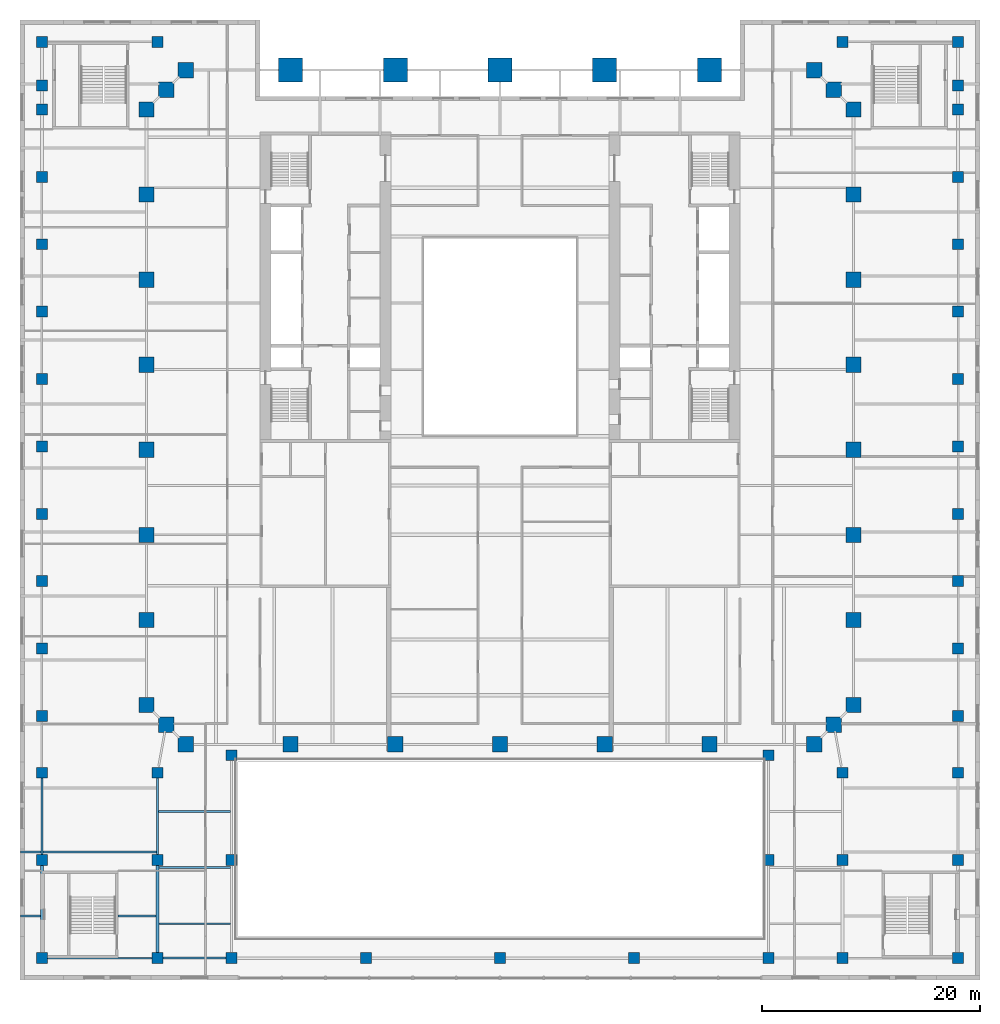
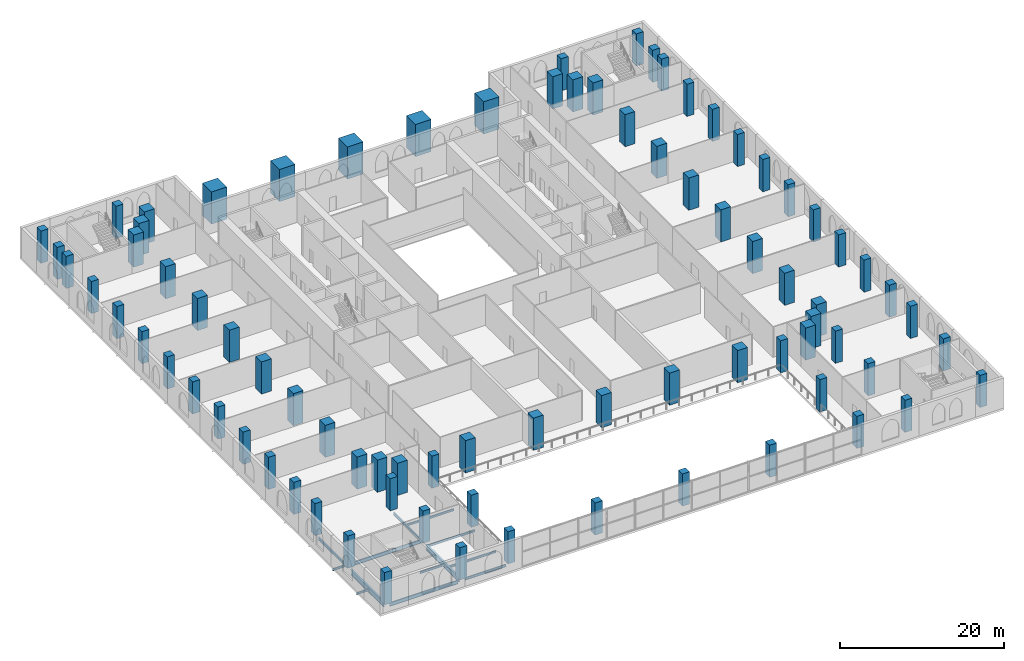
# One storey, part 1 of 19: 81 columns, 13 beams.
"""IFC4 building model written with IfcOpenShell, lengths in metres."""

from ifc_helpers import new_model, si_unit, direction, frame, origin, origin_2d, place, context, subcontext, project, spatial, rectangle, i_section, extrude, material, material_profile, profile_set, type_object, element, save


model = new_model("IFC4")

# Units and contexts
model_context = context("Model", 3, precision=1e-05, world=origin(), true_north=direction((0.0, 1.0)))
body_context = subcontext(model_context, "Body", "Model", "MODEL_VIEW")
ifc_project = project(units=[si_unit("LENGTHUNIT", "METRE"), si_unit("AREAUNIT", "SQUARE_METRE"), si_unit("VOLUMEUNIT", "CUBIC_METRE"), si_unit("PLANEANGLEUNIT", "RADIAN"), si_unit("MASSUNIT", "GRAM", prefix="KILO")], contexts=[model_context])

# Site, building, storey
site_placement = place(None, origin())
site = spatial("IfcSite", under=ifc_project, at=site_placement, CompositionType="ELEMENT")
building_placement = place(site_placement, origin())
building = spatial("IfcBuilding", under=site, at=building_placement, Name="Ogive Exchange Tower", CompositionType="ELEMENT")
storey_placement = place(building_placement, frame((0.0, 0.0, 19.199951171875)))
storey = spatial("IfcBuildingStorey", under=building, at=storey_placement, Name="L03", CompositionType="ELEMENT", Elevation=19.199951171875)

# Columns
ifc_material_1 = material(Name="Concrete C70/85", Category="concrete")
ifc_material_profile_1 = material_profile(ifc_material_1, rectangle(XDim=1.0, YDim=1.0, at=origin_2d()), Name="RC 1000x1000")
ifc_profile_set_1 = profile_set([ifc_material_profile_1], Name="Concrete C70/85")
column_type_1 = type_object("IfcColumnType", Name="RC column 1000x1000", PredefinedType="COLUMN", material=ifc_profile_set_1)
for number, where, z_axis, x_axis, name in (
    (1, (-42.0, -50.0, 0.0), (0.0, 0.0, 1.0), (1.0, 0.0, 0.0), "Podium column"),
    (2, (-31.39990234375, -50.0, 0.0), (0.0, 0.0, 1.0), (1.0, 0.0, 0.0), "Podium column"),
    (3, (-24.60009765625, -50.0, 0.0), (0.0, 0.0, 1.0), (1.0, 0.0, 0.0), "Podium column"),
    (4, (-12.300048828125, -50.0, 0.0), (0.0, 0.0, 1.0), (1.0, 0.0, 0.0), "Podium column"),
    (5, (0.0, -50.0, 0.0), (0.0, 0.0, 1.0), (1.0, 0.0, 0.0), "Podium column"),
    (6, (12.300048828125, -50.0, 0.0), (0.0, 0.0, 1.0), (1.0, 0.0, 0.0), "Podium column"),
    (7, (24.60009765625, -50.0, 0.0), (0.0, 0.0, 1.0), (1.0, 0.0, 0.0), "Podium column"),
    (8, (31.39990234375, -50.0, 0.0), (0.0, 0.0, 1.0), (1.0, 0.0, 0.0), "Podium column"),
    (9, (42.0, -50.0, 0.0), (0.0, 0.0, 1.0), (1.0, 0.0, 0.0), "Podium column"),
    (10, (-42.0, -41.0, 0.0), (0.0, 0.0, 1.0), (1.0, 0.0, 0.0), "Podium column"),
    (11, (-31.39990234375, -41.0, 0.0), (0.0, 0.0, 1.0), (1.0, 0.0, 0.0), "Podium column"),
    (12, (-24.60009765625, -41.0, 0.0), (0.0, 0.0, 1.0), (1.0, 0.0, 0.0), "Podium column"),
    (13, (24.60009765625, -41.0, 0.0), (0.0, 0.0, 1.0), (1.0, 0.0, 0.0), "Podium column"),
    (14, (31.39990234375, -41.0, 0.0), (0.0, 0.0, 1.0), (1.0, 0.0, 0.0), "Podium column"),
    (15, (42.0, -41.0, 0.0), (0.0, 0.0, 1.0), (1.0, 0.0, 0.0), "Podium column"),
    (16, (-42.0, -33.0, 0.0), (0.0, 0.0, 1.0), (1.0, 0.0, 0.0), "Podium column"),
    (17, (-31.39990234375, -33.0, 0.0), (0.0, 0.0, 1.0), (1.0, 0.0, 0.0), "Podium column"),
    (18, (31.39990234375, -33.0, 0.0), (0.0, 0.0, 1.0), (1.0, 0.0, 0.0), "Podium column"),
    (19, (42.0, -33.0, 0.0), (0.0, 0.0, 1.0), (1.0, 0.0, 0.0), "Podium column"),
    (20, (-24.60009765625, -31.39990234375, 0.0), (0.0, 0.0, 1.0), (1.0, 0.0, 0.0), "Podium column"),
    (21, (24.60009765625, -31.39990234375, 0.0), (0.0, 0.0, 1.0), (1.0, 0.0, 0.0), "Podium column"),
    (22, (-42.0, -27.800048828125, 0.0), (0.0, 0.0, 1.0), (1.0, 0.0, 0.0), "Podium column"),
    (23, (42.0, -27.800048828125, 0.0), (0.0, 0.0, 1.0), (1.0, 0.0, 0.0), "Podium column"),
    (24, (-42.0, -21.6201171875, 0.0), (0.0, 0.0, 1.0), (1.0, 0.0, 0.0), "Podium column"),
    (25, (42.0, -21.6201171875, 0.0), (0.0, 0.0, 1.0), (1.0, 0.0, 0.0), "Podium column"),
    (26, (-42.0, -15.43994140625, 0.0), (0.0, 0.0, 1.0), (1.0, 0.0, 0.0), "Podium column"),
    (27, (42.0, -15.43994140625, 0.0), (0.0, 0.0, 1.0), (1.0, 0.0, 0.0), "Podium column"),
    (28, (-42.0, -9.27001953125, 0.0), (0.0, 0.0, 1.0), (1.0, 0.0, 0.0), "Podium column"),
    (29, (42.0, -9.27001953125, 0.0), (0.0, 0.0, 1.0), (1.0, 0.0, 0.0), "Podium column"),
    (30, (-42.0, -3.090087890625, 0.0), (0.0, 0.0, 1.0), (1.0, 0.0, 0.0), "Podium column"),
    (31, (42.0, -3.090087890625, 0.0), (0.0, 0.0, 1.0), (1.0, 0.0, 0.0), "Podium column"),
    (32, (-42.0, 3.090087890625, 0.0), (0.0, 0.0, 1.0), (1.0, 0.0, 0.0), "Podium column"),
    (33, (42.0, 3.090087890625, 0.0), (0.0, 0.0, 1.0), (1.0, 0.0, 0.0), "Podium column"),
    (34, (-42.0, 9.27001953125, 0.0), (0.0, 0.0, 1.0), (1.0, 0.0, 0.0), "Podium column"),
    (35, (42.0, 9.27001953125, 0.0), (0.0, 0.0, 1.0), (1.0, 0.0, 0.0), "Podium column"),
    (36, (-42.0, 15.43994140625, 0.0), (0.0, 0.0, 1.0), (1.0, 0.0, 0.0), "Podium column"),
    (37, (42.0, 15.43994140625, 0.0), (0.0, 0.0, 1.0), (1.0, 0.0, 0.0), "Podium column"),
    (38, (-42.0, 21.6201171875, 0.0), (0.0, 0.0, 1.0), (1.0, 0.0, 0.0), "Podium column"),
    (39, (42.0, 21.6201171875, 0.0), (0.0, 0.0, 1.0), (1.0, 0.0, 0.0), "Podium column"),
    (40, (-42.0, 27.800048828125, 0.0), (0.0, 0.0, 1.0), (1.0, 0.0, 0.0), "Podium column"),
    (41, (42.0, 27.800048828125, 0.0), (0.0, 0.0, 1.0), (1.0, 0.0, 0.0), "Podium column"),
    (42, (-42.0, 30.0, 0.0), (0.0, 0.0, 1.0), (1.0, 0.0, 0.0), "Podium column"),
    (43, (42.0, 30.0, 0.0), (0.0, 0.0, 1.0), (1.0, 0.0, 0.0), "Podium column"),
    (44, (-42.0, 34.0, 0.0), (0.0, 0.0, 1.0), (1.0, 0.0, 0.0), "Podium column"),
    (45, (-31.39990234375, 34.0, 0.0), (0.0, 0.0, 1.0), (1.0, 0.0, 0.0), "Podium column"),
    (46, (31.39990234375, 34.0, 0.0), (0.0, 0.0, 1.0), (1.0, 0.0, 0.0), "Podium column"),
    (47, (42.0, 34.0, 0.0), (0.0, 0.0, 1.0), (1.0, 0.0, 0.0), "Podium column"),
):
    element("IfcColumn", number, at=place(storey_placement, frame(where, z_axis=z_axis, x_axis=x_axis)), inside=storey, type_object=column_type_1, Name=name, PredefinedType="COLUMN", context=body_context, shape_type="SweptSolid", body=[
        extrude(rectangle(XDim=1.0, YDim=1.0, at=origin_2d()), origin(), (0.0, 0.0, 1.0), 4.800048828125),
    ])
ifc_material_profile_2 = material_profile(ifc_material_1, rectangle(XDim=1.39990234375, YDim=1.39990234375, at=origin_2d()), Name="RC 1400x1400")
ifc_profile_set_2 = profile_set([ifc_material_profile_2], Name="Concrete C70/85")
column_type_2 = type_object("IfcColumnType", Name="RC column 1400x1400", PredefinedType="COLUMN", material=ifc_profile_set_2)
for number, where, z_axis, x_axis, name in (
    (48, (-28.800048828125, -30.39990234375, 0.0), (0.0, 0.0, 1.0), (1.0, 0.0, 0.0), "Leg column"),
    (49, (-19.199951171875, -30.39990234375, 0.0), (0.0, 0.0, 1.0), (1.0, 0.0, 0.0), "Leg column"),
    (50, (-9.60009765625, -30.39990234375, 0.0), (0.0, 0.0, 1.0), (1.0, 0.0, 0.0), "Leg column"),
    (51, (0.0, -30.39990234375, 0.0), (0.0, 0.0, 1.0), (1.0, 0.0, 0.0), "Leg column"),
    (52, (9.60009765625, -30.39990234375, 0.0), (0.0, 0.0, 1.0), (1.0, 0.0, 0.0), "Leg column"),
    (53, (19.199951171875, -30.39990234375, 0.0), (0.0, 0.0, 1.0), (1.0, 0.0, 0.0), "Leg column"),
    (54, (28.800048828125, -30.39990234375, 0.0), (0.0, 0.0, 1.0), (1.0, 0.0, 0.0), "Leg column"),
    (55, (-30.60009765625, -28.60009765625, 0.0), (0.0, 0.0, 1.0), (1.0, 0.0, 0.0), "Leg column"),
    (56, (30.60009765625, -28.60009765625, 0.0), (0.0, 0.0, 1.0), (1.0, 0.0, 0.0), "Leg column"),
    (57, (-32.39990234375, -26.800048828125, 0.0), (0.0, 0.0, 1.0), (1.0, 0.0, 0.0), "Leg column"),
    (58, (32.39990234375, -26.800048828125, 0.0), (0.0, 0.0, 1.0), (1.0, 0.0, 0.0), "Leg column"),
    (59, (-32.39990234375, -19.0, 0.0), (0.0, 0.0, 1.0), (1.0, 0.0, 0.0), "Leg column"),
    (60, (32.39990234375, -19.0, 0.0), (0.0, 0.0, 1.0), (1.0, 0.0, 0.0), "Leg column"),
    (61, (-32.39990234375, -11.199951171875, 0.0), (0.0, 0.0, 1.0), (1.0, 0.0, 0.0), "Leg column"),
    (62, (32.39990234375, -11.199951171875, 0.0), (0.0, 0.0, 1.0), (1.0, 0.0, 0.0), "Leg column"),
    (63, (-32.39990234375, -3.39990234375, 0.0), (0.0, 0.0, 1.0), (1.0, 0.0, 0.0), "Leg column"),
    (64, (32.39990234375, -3.39990234375, 0.0), (0.0, 0.0, 1.0), (1.0, 0.0, 0.0), "Leg column"),
    (65, (-32.39990234375, 4.39990234375, 0.0), (0.0, 0.0, 1.0), (1.0, 0.0, 0.0), "Leg column"),
    (66, (32.39990234375, 4.39990234375, 0.0), (0.0, 0.0, 1.0), (1.0, 0.0, 0.0), "Leg column"),
    (67, (-32.39990234375, 12.199951171875, 0.0), (0.0, 0.0, 1.0), (1.0, 0.0, 0.0), "Leg column"),
    (68, (32.39990234375, 12.199951171875, 0.0), (0.0, 0.0, 1.0), (1.0, 0.0, 0.0), "Leg column"),
    (69, (-32.39990234375, 20.0, 0.0), (0.0, 0.0, 1.0), (1.0, 0.0, 0.0), "Leg column"),
    (70, (32.39990234375, 20.0, 0.0), (0.0, 0.0, 1.0), (1.0, 0.0, 0.0), "Leg column"),
    (71, (-32.39990234375, 27.800048828125, 0.0), (0.0, 0.0, 1.0), (1.0, 0.0, 0.0), "Leg column"),
    (72, (32.39990234375, 27.800048828125, 0.0), (0.0, 0.0, 1.0), (1.0, 0.0, 0.0), "Leg column"),
    (73, (-30.60009765625, 29.60009765625, 0.0), (0.0, 0.0, 1.0), (1.0, 0.0, 0.0), "Leg column"),
    (74, (30.60009765625, 29.60009765625, 0.0), (0.0, 0.0, 1.0), (1.0, 0.0, 0.0), "Leg column"),
    (75, (-28.800048828125, 31.39990234375, 0.0), (0.0, 0.0, 1.0), (1.0, 0.0, 0.0), "Leg column"),
    (76, (28.800048828125, 31.39990234375, 0.0), (0.0, 0.0, 1.0), (1.0, 0.0, 0.0), "Leg column"),
):
    element("IfcColumn", number, at=place(storey_placement, frame(where, z_axis=z_axis, x_axis=x_axis)), inside=storey, type_object=column_type_2, Name=name, PredefinedType="COLUMN", context=body_context, shape_type="SweptSolid", body=[
        extrude(rectangle(XDim=1.39990234375, YDim=1.39990234375, at=origin_2d()), origin(), (0.0, 0.0, 1.0), 4.800048828125),
    ])
ifc_material_profile_3 = material_profile(ifc_material_1, rectangle(XDim=2.199951171875, YDim=2.199951171875, at=origin_2d()), Name="RC 2200x2200")
ifc_profile_set_3 = profile_set([ifc_material_profile_3], Name="Concrete C70/85")
column_type_3 = type_object("IfcColumnType", Name="RC pier 2200x2200", PredefinedType="COLUMN", material=ifc_profile_set_3)
for number, where, z_axis, x_axis, name in (
    (77, (-19.199951171875, 31.39990234375, 0.0), (0.0, 0.0, 1.0), (1.0, 0.0, 0.0), "Entrance pier"),
    (78, (-9.60009765625, 31.39990234375, 0.0), (0.0, 0.0, 1.0), (1.0, 0.0, 0.0), "Entrance pier"),
    (79, (0.0, 31.39990234375, 0.0), (0.0, 0.0, 1.0), (1.0, 0.0, 0.0), "Entrance pier"),
    (80, (9.60009765625, 31.39990234375, 0.0), (0.0, 0.0, 1.0), (1.0, 0.0, 0.0), "Entrance pier"),
    (81, (19.199951171875, 31.39990234375, 0.0), (0.0, 0.0, 1.0), (1.0, 0.0, 0.0), "Entrance pier"),
):
    element("IfcColumn", number, at=place(storey_placement, frame(where, z_axis=z_axis, x_axis=x_axis)), inside=storey, type_object=column_type_3, Name=name, PredefinedType="COLUMN", context=body_context, shape_type="SweptSolid", body=[
        extrude(rectangle(XDim=2.199951171875, YDim=2.199951171875, at=origin_2d()), origin(), (0.0, 0.0, 1.0), 4.800048828125),
    ])

# Beams
ifc_material_2 = material(Name="Steel ASTM A992 Gr50", Category="steel")
ifc_material_profile_4 = material_profile(ifc_material_2, i_section(OverallWidth=0.1650390625, OverallDepth=0.31005859375, WebThickness=0.005859375, FlangeThickness=0.009765625, at=origin_2d()), Name="W310x38.7")
ifc_profile_set_4 = profile_set([ifc_material_profile_4], Name="Steel ASTM A992 Gr50")
beam_type_1 = type_object("IfcBeamType", Name="Floor beam W310x38.7", PredefinedType="JOIST", material=ifc_profile_set_4)
beam_1_placement = place(storey_placement, frame((-43.949951171875, -46.13330078125, -0.454833984375), z_axis=(1.0, 0.0, 0.0), x_axis=(0.0, 1.0, 0.0)))
element("IfcBeam", 82, at=beam_1_placement, inside=storey, type_object=beam_type_1, Name="Floor beam", PredefinedType="JOIST", context=body_context, shape_type="SweptSolid", body=[
    extrude(i_section(OverallWidth=0.1650390625, OverallDepth=0.31005859375, WebThickness=0.005859375, FlangeThickness=0.009765625, at=origin_2d()), origin(), (0.0, 0.0, 1.0), 1.81640625),
])
beam_2_placement = place(storey_placement, frame((-35.0, -46.13330078125, -0.454833984375), z_axis=(1.0, 0.0, 0.0), x_axis=(0.0, 1.0, 0.0)))
element("IfcBeam", 83, at=beam_2_placement, inside=storey, type_object=beam_type_1, Name="Floor beam", PredefinedType="JOIST", context=body_context, shape_type="SweptSolid", body=[
    extrude(i_section(OverallWidth=0.1650390625, OverallDepth=0.31005859375, WebThickness=0.005859375, FlangeThickness=0.009765625, at=origin_2d()), origin(), (0.0, 0.0, 1.0), 3.466552734375),
])
beam_3_placement = place(storey_placement, frame((-43.949951171875, -40.2666015625, -0.454833984375), z_axis=(1.0, 0.0, 0.0), x_axis=(0.0, 1.0, 0.0)))
element("IfcBeam", 84, at=beam_3_placement, inside=storey, type_object=beam_type_1, Name="Floor beam", PredefinedType="JOIST", context=body_context, shape_type="SweptSolid", body=[
    extrude(i_section(OverallWidth=0.1650390625, OverallDepth=0.31005859375, WebThickness=0.005859375, FlangeThickness=0.009765625, at=origin_2d()), origin(), (0.0, 0.0, 1.0), 1.86083984375),
])
for number, where, z_axis, x_axis, name in (
    (85, (-31.2666015625, -46.85009765625, -0.454833984375), (1.0, 0.0, 0.0), (0.0, 1.0, 0.0), "Floor beam"),
    (86, (-31.2666015625, -41.699951171875, -0.454833984375), (1.0, 0.0, 0.0), (0.0, 1.0, 0.0), "Floor beam"),
):
    element("IfcBeam", number, at=place(storey_placement, frame(where, z_axis=z_axis, x_axis=x_axis)), inside=storey, type_object=beam_type_1, Name=name, PredefinedType="JOIST", context=body_context, shape_type="SweptSolid", body=[
        extrude(i_section(OverallWidth=0.1650390625, OverallDepth=0.31005859375, WebThickness=0.005859375, FlangeThickness=0.009765625, at=origin_2d()), origin(), (0.0, 0.0, 1.0), 6.571044921875),
    ])
beam_4_placement = place(storey_placement, frame((-31.31103515625, -36.550048828125, -0.454833984375), z_axis=(1.0, 0.0, 0.0), x_axis=(0.0, 1.0, 0.0)))
element("IfcBeam", 87, at=beam_4_placement, inside=storey, type_object=beam_type_1, Name="Floor beam", PredefinedType="JOIST", context=body_context, shape_type="SweptSolid", body=[
    extrude(i_section(OverallWidth=0.1650390625, OverallDepth=0.31005859375, WebThickness=0.005859375, FlangeThickness=0.009765625, at=origin_2d()), origin(), (0.0, 0.0, 1.0), 6.62744140625),
])
ifc_material_profile_5 = material_profile(ifc_material_2, i_section(OverallWidth=0.1669921875, OverallDepth=0.535888671875, WebThickness=0.01025390625, FlangeThickness=0.0166015625, at=origin_2d()), Name="W530x85")
ifc_profile_set_5 = profile_set([ifc_material_profile_5], Name="Steel ASTM A992 Gr50")
beam_type_2 = type_object("IfcBeamType", Name="Floor beam W530x85", PredefinedType="JOIST", material=ifc_profile_set_5)
beam_5_placement = place(storey_placement, frame((-41.910888671875, -40.2666015625, -0.56787109375), z_axis=(1.0, 0.0, 0.0), x_axis=(0.0, 1.0, 0.0)))
element("IfcBeam", 88, at=beam_5_placement, inside=storey, type_object=beam_type_2, Name="Floor beam", PredefinedType="JOIST", context=body_context, shape_type="SweptSolid", body=[
    extrude(i_section(OverallWidth=0.1669921875, OverallDepth=0.535888671875, WebThickness=0.01025390625, FlangeThickness=0.0166015625, at=origin_2d()), origin(), (0.0, 0.0, 1.0), 10.421875),
])
ifc_material_profile_6 = material_profile(ifc_material_2, i_section(OverallWidth=0.1708984375, OverallDepth=0.35595703125, WebThickness=0.00732421875, FlangeThickness=0.01171875, at=origin_2d()), Name="W360x51")
ifc_profile_set_6 = profile_set([ifc_material_profile_6], Name="Steel ASTM A992 Gr50")
beam_type_3 = type_object("IfcBeamType", Name="Girder W360x51", PredefinedType="BEAM", material=ifc_profile_set_6)
beam_6_placement = place(storey_placement, frame((-30.89990234375, -50.0, -0.47802734375), z_axis=(1.0, 0.0, 0.0), x_axis=(0.0, 1.0, 0.0)))
element("IfcBeam", 89, at=beam_6_placement, inside=storey, type_object=beam_type_3, Name="Girder", PredefinedType="BEAM", context=body_context, shape_type="SweptSolid", body=[
    extrude(i_section(OverallWidth=0.1708984375, OverallDepth=0.35595703125, WebThickness=0.00732421875, FlangeThickness=0.01171875, at=origin_2d()), origin(), (0.0, 0.0, 1.0), 5.7998046875),
])
ifc_material_profile_7 = material_profile(ifc_material_2, i_section(OverallWidth=0.177978515625, OverallDepth=0.406005859375, WebThickness=0.0078125, FlangeThickness=0.0126953125, at=origin_2d()), Name="W410x60")
ifc_profile_set_7 = profile_set([ifc_material_profile_7], Name="Steel ASTM A992 Gr50")
beam_type_4 = type_object("IfcBeamType", Name="Girder W410x60", PredefinedType="BEAM", material=ifc_profile_set_7)
for number, where, z_axis, x_axis, name in (
    (90, (-31.39990234375, -40.5, -0.5029296875), (0.0, 1.0, 0.0), (-1.0, 0.0, 0.0), "Girder"),
    (91, (-42.0, -40.5, -0.5029296875), (0.0, 1.0, 0.0), (-1.0, 0.0, 0.0), "Girder"),
):
    element("IfcBeam", number, at=place(storey_placement, frame(where, z_axis=z_axis, x_axis=x_axis)), inside=storey, type_object=beam_type_4, Name=name, PredefinedType="BEAM", context=body_context, shape_type="SweptSolid", body=[
        extrude(i_section(OverallWidth=0.177978515625, OverallDepth=0.406005859375, WebThickness=0.0078125, FlangeThickness=0.0126953125, at=origin_2d()), origin(), (0.0, 0.0, 1.0), 7.0),
    ])
ifc_material_profile_8 = material_profile(ifc_material_2, i_section(OverallWidth=0.1669921875, OverallDepth=0.535888671875, WebThickness=0.01025390625, FlangeThickness=0.0166015625, at=origin_2d()), Name="W530x85")
ifc_profile_set_8 = profile_set([ifc_material_profile_8], Name="Steel ASTM A992 Gr50")
beam_type_5 = type_object("IfcBeamType", Name="Girder W530x85", PredefinedType="BEAM", material=ifc_profile_set_8)
beam_7_placement = place(storey_placement, frame((-41.5, -50.0, -0.56787109375), z_axis=(1.0, 0.0, 0.0), x_axis=(0.0, 1.0, 0.0)))
element("IfcBeam", 92, at=beam_7_placement, inside=storey, type_object=beam_type_5, Name="Girder", PredefinedType="BEAM", context=body_context, shape_type="SweptSolid", body=[
    extrude(i_section(OverallWidth=0.1669921875, OverallDepth=0.535888671875, WebThickness=0.01025390625, FlangeThickness=0.0166015625, at=origin_2d()), origin(), (0.0, 0.0, 1.0), 9.60009765625),
])
ifc_material_profile_9 = material_profile(ifc_material_2, i_section(OverallWidth=0.26708984375, OverallDepth=0.75390625, WebThickness=0.01318359375, FlangeThickness=0.01708984375, at=origin_2d()), Name="W760x147")
ifc_profile_set_9 = profile_set([ifc_material_profile_9], Name="Steel ASTM A992 Gr50")
beam_type_6 = type_object("IfcBeamType", Name="Girder W760x147", PredefinedType="BEAM", material=ifc_profile_set_9)
for number, where, z_axis, x_axis, name in (
    (93, (-31.39990234375, -49.5, -0.677001953125), (0.0, 1.0, 0.0), (-1.0, 0.0, 0.0), "Girder"),
    (94, (-42.0, -49.5, -0.677001953125), (0.0, 1.0, 0.0), (-1.0, 0.0, 0.0), "Girder"),
):
    element("IfcBeam", number, at=place(storey_placement, frame(where, z_axis=z_axis, x_axis=x_axis)), inside=storey, type_object=beam_type_6, Name=name, PredefinedType="BEAM", context=body_context, shape_type="SweptSolid", body=[
        extrude(i_section(OverallWidth=0.26708984375, OverallDepth=0.75390625, WebThickness=0.01318359375, FlangeThickness=0.01708984375, at=origin_2d()), origin(), (0.0, 0.0, 1.0), 8.0),
    ])

save(model, "model.ifc")
